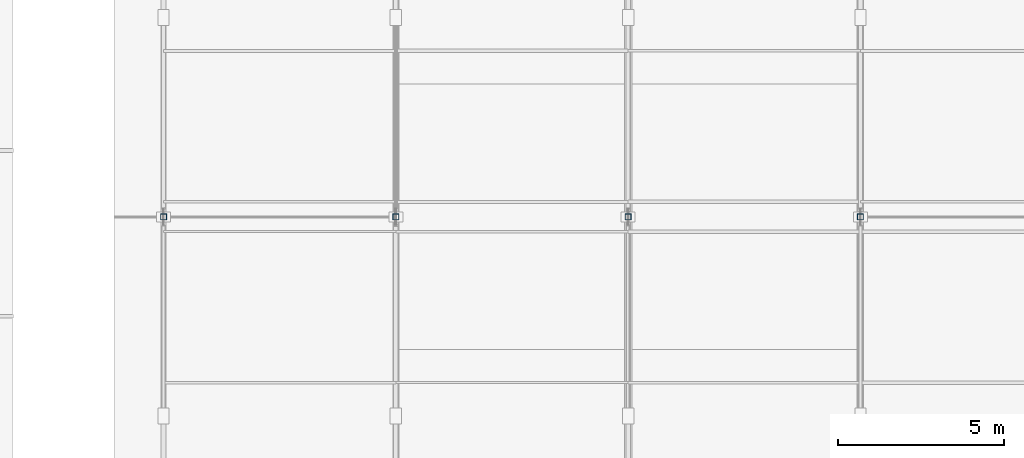
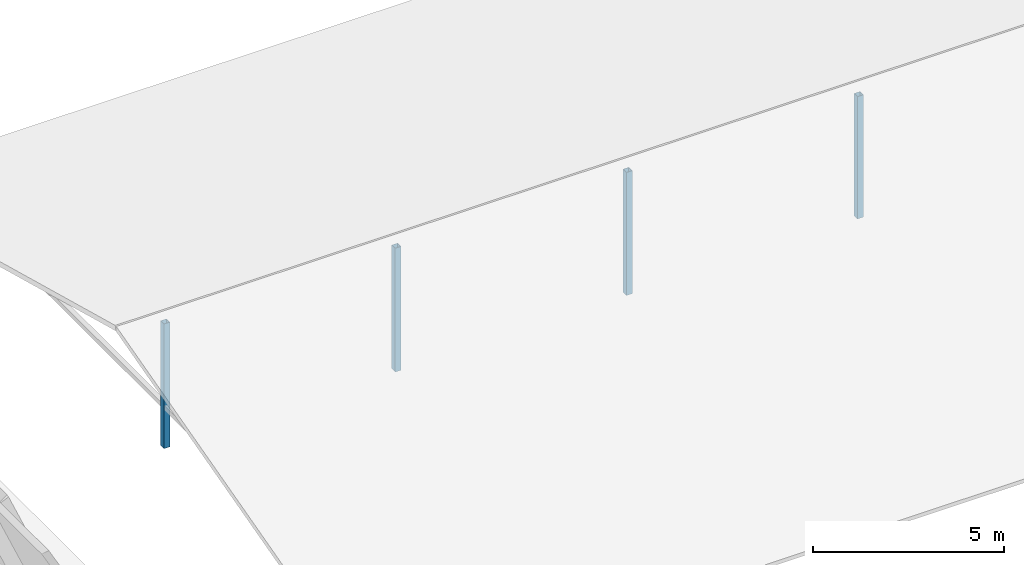
# One storey, part 2 of 76: 4 columns.
"""IFC4 building model written with IfcOpenShell, lengths in metres."""

from ifc_helpers import new_model, si_unit, direction, frame, origin, origin_2d, place, context, subcontext, project, spatial, hollow_rectangle, extrude, material, material_profile, profile_set, type_object, element, save


model = new_model("IFC4")

# Units and contexts
model_context = context("Model", 3, precision=1e-05, world=origin(), true_north=direction((0.0, 1.0)))
body_context = subcontext(model_context, "Body", "Model", "MODEL_VIEW")
ifc_project = project(units=[si_unit("LENGTHUNIT", "METRE"), si_unit("AREAUNIT", "SQUARE_METRE"), si_unit("VOLUMEUNIT", "CUBIC_METRE"), si_unit("PLANEANGLEUNIT", "RADIAN"), si_unit("MASSUNIT", "GRAM", prefix="KILO")], contexts=[model_context])

# Site, building, storey
site_placement = place(None, origin())
site = spatial("IfcSite", under=ifc_project, at=site_placement, CompositionType="ELEMENT")
building_placement = place(site_placement, origin())
building = spatial("IfcBuilding", under=site, at=building_placement, Name="Kiranvali Square Residences", CompositionType="ELEMENT")
storey_placement = place(building_placement, frame((0.0, 0.0, 8.699951171875)))
storey = spatial("IfcBuildingStorey", under=building, at=storey_placement, Name="L02", CompositionType="ELEMENT", Elevation=8.699951171875)

# Columns
ifc_material = material(Name="Structural steel E350", Category="steel")
ifc_material_profile = material_profile(ifc_material, hollow_rectangle(XDim=0.179931640625, YDim=0.179931640625, WallThickness=0.008056640625, at=origin_2d()), Name="SHS 180x180x8.0")
ifc_profile_set = profile_set([ifc_material_profile], Name="Structural steel E350")
column_type = type_object("IfcColumnType", Name="SCOL-SHS180", PredefinedType="COLUMN", material=ifc_profile_set)
column_1_placement = place(storey_placement, frame((102.0, 52.0, -0.199951171875), z_axis=(0.0, 0.0, 1.0), x_axis=(1.0, 0.0, 0.0)))
element("IfcColumn", 1, at=column_1_placement, inside=storey, type_object=column_type, Name="Southeast Square Retail Pavilion ridge king-post 1", PredefinedType="COLUMN", context=body_context, shape_type="SweptSolid", body=[
    extrude(hollow_rectangle(XDim=0.179931640625, YDim=0.179931640625, WallThickness=0.008056640625, at=origin_2d()), origin(), (0.0, 0.0, 1.0), 3.9873046875),
])
column_2_placement = place(storey_placement, frame((109.0, 52.0, -0.199951171875), z_axis=(0.0, 0.0, 1.0), x_axis=(1.0, 0.0, 0.0)))
element("IfcColumn", 2, at=column_2_placement, inside=storey, type_object=column_type, Name="Southeast Square Retail Pavilion ridge king-post 2", PredefinedType="COLUMN", context=body_context, shape_type="SweptSolid", body=[
    extrude(hollow_rectangle(XDim=0.179931640625, YDim=0.179931640625, WallThickness=0.008056640625, at=origin_2d()), origin(), (0.0, 0.0, 1.0), 3.96240234375),
])
column_3_placement = place(storey_placement, frame((116.0, 52.0, -0.199951171875), z_axis=(0.0, 0.0, 1.0), x_axis=(1.0, 0.0, 0.0)))
element("IfcColumn", 3, at=column_3_placement, inside=storey, type_object=column_type, Name="Southeast Square Retail Pavilion ridge king-post 3", PredefinedType="COLUMN", context=body_context, shape_type="SweptSolid", body=[
    extrude(hollow_rectangle(XDim=0.179931640625, YDim=0.179931640625, WallThickness=0.008056640625, at=origin_2d()), origin(), (0.0, 0.0, 1.0), 3.937255859375),
])
column_4_placement = place(storey_placement, frame((123.0, 52.0, -0.199951171875), z_axis=(0.0, 0.0, 1.0), x_axis=(1.0, 0.0, 0.0)))
element("IfcColumn", 4, at=column_4_placement, inside=storey, type_object=column_type, Name="Southeast Square Retail Pavilion ridge king-post 4", PredefinedType="COLUMN", context=body_context, shape_type="SweptSolid", body=[
    extrude(hollow_rectangle(XDim=0.179931640625, YDim=0.179931640625, WallThickness=0.008056640625, at=origin_2d()), origin(), (0.0, 0.0, 1.0), 3.912353515625),
])

save(model, "model.ifc")
